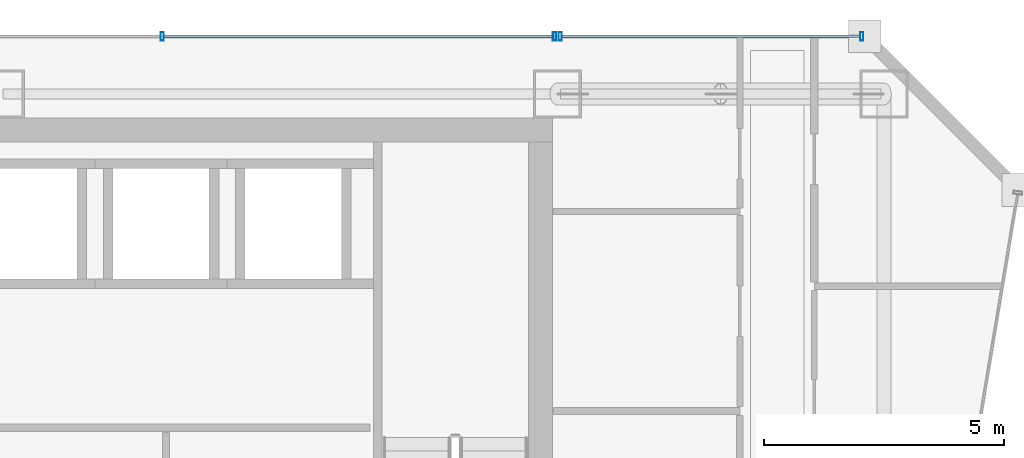
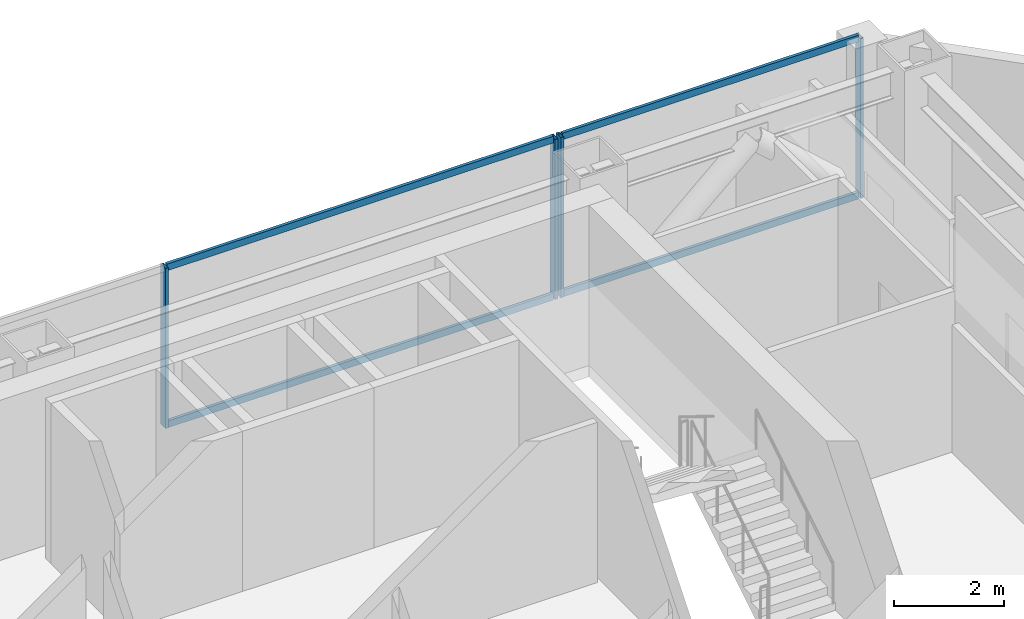
# One storey, part 30 of 40: 8 members, 2 elements without a shape of their own.
"""IFC4 building model written with IfcOpenShell, lengths in metres."""

import ifcopenshell
import ifcopenshell.guid

model = None  # the IFC model being written
_history = None  # IfcOwnerHistory: only IFC2X3 demands one
_inside = {}  # id of a spatial element -> (the spatial element, [elements in it])
_under = {}  # id of a project, library or spatial element -> (it, [spatial elements below it])
_declared = {}  # id of a project -> (the project, [libraries it declares])
_typed = {}  # id of a type object -> (the type object, [elements of that type])
_made_of = {}  # id of a material, layer set ... -> (it, [elements and type objects made of it])


def new_model(schema):
    """Start an empty IFC model of exactly this schema.

    Asked for "IFC4X3", IfcOpenShell would pick the latest addendum, in which some entities
    have other attributes; the version numbers below select the first issue.
    IFC2X3 requires an IfcOwnerHistory on every rooted entity: one is made here for all.
    """
    global model, _history
    if schema == "IFC4X3":
        model = ifcopenshell.file(schema_version=(4, 3, 0, 0))
    else:
        model = ifcopenshell.file(schema=schema)
    _inside.clear()
    _under.clear()
    _declared.clear()
    _typed.clear()
    _made_of.clear()
    _history = None
    if model.schema == "IFC2X3":
        org = make("IfcOrganization", Name="unknown")
        user = make(
            "IfcPersonAndOrganization",
            ThePerson=make("IfcPerson", FamilyName="unknown"),
            TheOrganization=org,
        )
        app = make(
            "IfcApplication",
            ApplicationDeveloper=org,
            Version="unknown",
            ApplicationFullName="unknown",
            ApplicationIdentifier="unknown",
        )
        _history = make(
            "IfcOwnerHistory",
            OwningUser=user,
            OwningApplication=app,
            ChangeAction="ADDED",
            CreationDate=0,
        )
    return model


def make(cls, **values):
    """One entity of the class cls with the attributes given. An attribute that is None is left unset."""
    return model.create_entity(
        cls, **{name: value for name, value in values.items() if value is not None}
    )


def rooted(cls, **values):
    """An entity with a GlobalId (a new one), such as an element, a storey or a relation."""
    return make(cls, GlobalId=ifcopenshell.guid.new(), OwnerHistory=_history, **values)


def si_unit(unit_type, name, prefix=None):
    """IfcSIUnit, for example si_unit("LENGTHUNIT", "METRE", prefix="MILLI")."""
    return make("IfcSIUnit", UnitType=unit_type, Prefix=prefix, Name=name)


def assignment(units):
    """IfcUnitAssignment: the units of a project."""
    return None if units is None else make("IfcUnitAssignment", Units=units)


def point(xyz):
    """IfcCartesianPoint."""
    return None if xyz is None else make("IfcCartesianPoint", Coordinates=xyz)


def direction(xyz):
    """IfcDirection."""
    return None if xyz is None else make("IfcDirection", DirectionRatios=xyz)


def frame(location, z_axis=None, x_axis=None):
    """IfcAxis2Placement3D, a coordinate frame: its origin and axes. An axis left out is left unset."""
    return make(
        "IfcAxis2Placement3D",
        Location=point(location),
        Axis=direction(z_axis),
        RefDirection=direction(x_axis),
    )


def frame_2d(location, x_axis=None):
    """IfcAxis2Placement2D, a coordinate frame in the plane: its origin and x axis."""
    return make(
        "IfcAxis2Placement2D", Location=point(location), RefDirection=direction(x_axis)
    )


def origin():
    """The frame at (0, 0, 0) with its axes left unset."""
    return frame((0.0, 0.0, 0.0))


def origin_2d():
    """The frame at (0, 0) in the plane with its x axis left unset."""
    return frame_2d((0.0, 0.0))


def place(relative_to, where):
    """IfcLocalPlacement: puts the frame where relative to a parent placement (None: the world)."""
    return make(
        "IfcLocalPlacement", PlacementRelTo=relative_to, RelativePlacement=where
    )


def context(
    kind, dimensions, precision=None, world=None, true_north=None, identifier=None
):
    """IfcGeometricRepresentationContext, for example the 3D "Model" context."""
    return make(
        "IfcGeometricRepresentationContext",
        ContextIdentifier=identifier,
        ContextType=kind,
        CoordinateSpaceDimension=dimensions,
        Precision=precision,
        WorldCoordinateSystem=world,
        TrueNorth=true_north,
    )


def subcontext(parent, identifier, kind, view, scale=None):
    """IfcGeometricRepresentationSubContext, for example "Body" below "Model"."""
    return make(
        "IfcGeometricRepresentationSubContext",
        ContextIdentifier=identifier,
        ContextType=kind,
        ParentContext=parent,
        TargetScale=scale,
        TargetView=view,
    )


def project(units=None, contexts=None):
    """IfcProject with its units and contexts."""
    return rooted(
        "IfcProject",
        Name="project",
        RepresentationContexts=contexts,
        UnitsInContext=assignment(units),
    )


def spatial(cls, under=None, at=None, **own):
    """A site, building, storey or space (cls), placed at a placement, below another one or the project."""
    s = rooted(cls, ObjectPlacement=at, **own)
    if under is not None:
        _under.setdefault(under.id(), (under, []))[1].append(s)
    return s


def profile(cls, at=None, kind="AREA", **sizes):
    """A parametric profile (cls). Its sizes go by their IFC names, for example OverallWidth=200.0."""
    return make(cls, ProfileType=kind, Position=at, **sizes)


def hollow_rectangle(**sizes):
    """IfcRectangleHollowProfileDef."""
    return profile("IfcRectangleHollowProfileDef", **sizes)


def extrude(swept, where, along, depth):
    """IfcExtrudedAreaSolid: the profile swept, set in the frame where, extruded along a direction by depth."""
    return make(
        "IfcExtrudedAreaSolid",
        SweptArea=swept,
        Position=where,
        ExtrudedDirection=direction(along),
        Depth=depth,
    )


def shape(context_of_items, identifier, shape_type, items):
    """IfcShapeRepresentation: the items that make up one representation, for example the "Body"."""
    return make(
        "IfcShapeRepresentation",
        ContextOfItems=context_of_items,
        RepresentationIdentifier=identifier,
        RepresentationType=shape_type,
        Items=items,
    )


def material(Name=None, Category=None):
    """IfcMaterial."""
    return make("IfcMaterial", Name=Name, Category=Category)


def material_profile(
    of_material, cross_section, Name=None, Category=None, Priority=None
):
    """IfcMaterialProfile: a cross section and its material."""
    return make(
        "IfcMaterialProfile",
        Name=Name,
        Material=of_material,
        Profile=cross_section,
        Priority=Priority,
        Category=Category,
    )


def profile_set(profiles, Name=None, composite=None):
    """IfcMaterialProfileSet."""
    return make(
        "IfcMaterialProfileSet",
        Name=Name,
        MaterialProfiles=profiles,
        CompositeProfile=composite,
    )


def made_of(thing, what):
    """Note that an element or type object is made of a material, layer set ...; save() writes the relation."""
    if what is not None:
        _made_of.setdefault(what.id(), (what, []))[1].append(thing)
    return thing


def type_object(cls, material=None, **own):
    """A type object (cls), such as IfcWallType, which elements share."""
    return made_of(rooted(cls, **own), material)


def element(
    cls,
    number,
    at=None,
    inside=None,
    cuts=None,
    type_object=None,
    material=None,
    context=None,
    identifier="Body",
    shape_type=None,
    held_by="IfcProductDefinitionShape",
    body=None,
    shapes=None,
    **own,
):
    """One element of the class cls, such as IfcWall. Its Tag is "e" and its number.

    at: its placement. inside: the storey or other place that contains it. cuts: it is an
    opening in that element (IfcRelVoidsElement). A single representation is given by context,
    identifier, shape_type and body (its items); several are given by shapes. held_by: the class
    of the entity that holds the representations. save() writes the other relations.
    """
    e = rooted(cls, Tag="e%d" % number, ObjectPlacement=at, **own)
    if body is not None:
        shapes = [shape(context, identifier, shape_type, body)]
    if shapes is not None:
        e.Representation = make(held_by, Representations=shapes)
    if inside is not None:
        _inside.setdefault(inside.id(), (inside, []))[1].append(e)
    if cuts is not None:
        rooted(
            "IfcRelVoidsElement", RelatingBuildingElement=cuts, RelatedOpeningElement=e
        )
    if type_object is not None:
        _typed.setdefault(type_object.id(), (type_object, []))[1].append(e)
    return made_of(e, material)


def aggregate(whole, parts):
    """IfcRelAggregates: a whole, such as a stair, and the parts it consists of."""
    return rooted("IfcRelAggregates", RelatingObject=whole, RelatedObjects=parts)


def save(model, path):
    """Write the relations noted so far, then the file.

    IfcRelAggregates (storeys below a building ...), IfcRelContainedInSpatialStructure (elements
    in a storey), IfcRelDefinesByType, IfcRelAssociatesMaterial and IfcRelDeclares: one each for
    every whole, place, type object, material and project.
    """
    for whole, parts in _under.values():
        aggregate(whole, parts)
    for where, things in _inside.values():
        rooted(
            "IfcRelContainedInSpatialStructure",
            RelatedElements=things,
            RelatingStructure=where,
        )
    for kind, things in _typed.values():
        rooted("IfcRelDefinesByType", RelatedObjects=things, RelatingType=kind)
    for what, things in _made_of.values():
        rooted("IfcRelAssociatesMaterial", RelatedObjects=things, RelatingMaterial=what)
    for by, libraries in _declared.values():
        rooted("IfcRelDeclares", RelatingContext=by, RelatedDefinitions=libraries)
    model.write(path)


model = new_model("IFC4")

# Units and contexts
model_context = context("Model", 3, precision=1e-05, world=origin(), true_north=direction((0.0, 1.0)))
body_context = subcontext(model_context, "Body", "Model", "MODEL_VIEW")
ifc_project = project(units=[si_unit("LENGTHUNIT", "METRE"), si_unit("AREAUNIT", "SQUARE_METRE"), si_unit("VOLUMEUNIT", "CUBIC_METRE"), si_unit("PLANEANGLEUNIT", "RADIAN"), si_unit("MASSUNIT", "GRAM", prefix="KILO")], contexts=[model_context])

# Site, building, storey
site_placement = place(None, origin())
site = spatial("IfcSite", under=ifc_project, at=site_placement, CompositionType="ELEMENT")
building_placement = place(site_placement, origin())
building = spatial("IfcBuilding", under=site, at=building_placement, Name="Saevonmaru Cultural Tower", CompositionType="ELEMENT")
storey_placement = place(building_placement, frame((0.0, 0.0, 129.60009765625)))
storey = spatial("IfcBuildingStorey", under=building, at=storey_placement, Name="L27", CompositionType="ELEMENT", Elevation=129.60009765625)

# Curtain wall, members
ifc_material = material(Name="Satin Bronze Anodised Aluminium", Category="aluminium")
curtain_wall_type = type_object("IfcCurtainWallType", Name="CW-SKY-GLZ", PredefinedType="NOTDEFINED", material=ifc_material)
curtain_wall_1_placement = place(storey_placement, origin())
curtain_wall_1 = element("IfcCurtainWall", 1, at=curtain_wall_1_placement, inside=storey, type_object=curtain_wall_type, Name="L27 East Braced Bay Spandrel Curtain Wall E10A", PredefinedType="NOTDEFINED")
ifc_material_profile_1 = material_profile(ifc_material, hollow_rectangle(XDim=0.06494140625, YDim=0.179931640625, WallThickness=0.00390625, at=origin_2d()), Name="ALU-MULL-180x65x4")
ifc_profile_set_1 = profile_set([ifc_material_profile_1], Name="Satin Bronze Anodised Aluminium")
member_type_1 = type_object("IfcMemberType", Name="ML-CW-180x65", PredefinedType="MULLION", material=ifc_profile_set_1)
member_1_placement = place(storey_placement, frame((52.739990234375, 56.0, 0.0), z_axis=(0.0, 0.0, 1.0), x_axis=(-1.0, 0.0, 0.0)))
member_1 = element("IfcMember", 2, at=member_1_placement, type_object=member_type_1, Name="CW-TW-L27-E10A mullion 1", PredefinedType="MULLION", context=body_context, shape_type="SweptSolid", body=[
    extrude(hollow_rectangle(XDim=0.06494140625, YDim=0.179931640625, WallThickness=0.00390625, at=origin_2d()), origin(), (0.0, 0.0, 1.0), 3.5498046875),
])
member_2_placement = place(storey_placement, frame((46.4599609375, 56.0, 0.0), z_axis=(0.0, 0.0, 1.0), x_axis=(-1.0, 0.0, 0.0)))
member_2 = element("IfcMember", 3, at=member_2_placement, type_object=member_type_1, Name="CW-TW-L27-E10A mullion 2", PredefinedType="MULLION", context=body_context, shape_type="SweptSolid", body=[
    extrude(hollow_rectangle(XDim=0.06494140625, YDim=0.179931640625, WallThickness=0.00390625, at=origin_2d()), origin(), (0.0, 0.0, 1.0), 3.5498046875),
])

curtain_wall_2_placement = place(storey_placement, origin())
curtain_wall_2 = element("IfcCurtainWall", 4, at=curtain_wall_2_placement, inside=storey, type_object=curtain_wall_type, Name="L27 North Spine Unitised Curtain Wall E10B", PredefinedType="NOTDEFINED")
member_3_placement = place(storey_placement, frame((46.340087890625, 56.0, 0.0), z_axis=(0.0, 0.0, 1.0), x_axis=(-1.0, 0.0, 0.0)))
member_3 = element("IfcMember", 5, at=member_3_placement, type_object=member_type_1, Name="CW-TW-L27-E10B mullion 1", PredefinedType="MULLION", context=body_context, shape_type="SweptSolid", body=[
    extrude(hollow_rectangle(XDim=0.06494140625, YDim=0.179931640625, WallThickness=0.00390625, at=origin_2d()), origin(), (0.0, 0.0, 1.0), 3.5498046875),
])
member_4_placement = place(storey_placement, frame((38.169921875, 56.0, 0.0), z_axis=(0.0, 0.0, 1.0), x_axis=(-1.0, 0.0, 0.0)))
member_4 = element("IfcMember", 6, at=member_4_placement, type_object=member_type_1, Name="CW-TW-L27-E10B mullion 2", PredefinedType="MULLION", context=body_context, shape_type="SweptSolid", body=[
    extrude(hollow_rectangle(XDim=0.06494140625, YDim=0.179931640625, WallThickness=0.00390625, at=origin_2d()), origin(), (0.0, 0.0, 1.0), 3.5498046875),
])

# Member
ifc_material_profile_2 = material_profile(ifc_material, hollow_rectangle(XDim=0.06494140625, YDim=0.14990234375, WallThickness=0.00390625, at=origin_2d()), Name="ALU-TRAN-150x65x4")
ifc_profile_set_2 = profile_set([ifc_material_profile_2], Name="Satin Bronze Anodised Aluminium")
member_type_2 = type_object("IfcMemberType", Name="TR-CW-150x65", PredefinedType="USERDEFINED", material=ifc_profile_set_2)
member_5_placement = place(storey_placement, frame((52.70751953125, 56.0, 0.032470703125), z_axis=(-1.0, 0.0, 0.0), x_axis=(0.0, -1.0, 0.0)))
member_5 = element("IfcMember", 7, at=member_5_placement, type_object=member_type_2, Name="CW-TW-L27-E10A transom 1.1", ObjectType="TRANSOM", PredefinedType="USERDEFINED", context=body_context, shape_type="SweptSolid", body=[
    extrude(hollow_rectangle(XDim=0.06494140625, YDim=0.14990234375, WallThickness=0.00390625, at=origin_2d()), origin(), (0.0, 0.0, 1.0), 6.215087890625),
])

member_6_placement = place(storey_placement, frame((52.70751953125, 56.0, 3.517333984375), z_axis=(-1.0, 0.0, 0.0), x_axis=(0.0, -1.0, 0.0)))
member_6 = element("IfcMember", 8, at=member_6_placement, type_object=member_type_2, Name="CW-TW-L27-E10A transom 1.2", ObjectType="TRANSOM", PredefinedType="USERDEFINED", context=body_context, shape_type="SweptSolid", body=[
    extrude(hollow_rectangle(XDim=0.06494140625, YDim=0.14990234375, WallThickness=0.00390625, at=origin_2d()), origin(), (0.0, 0.0, 1.0), 6.215087890625),
])

aggregate(curtain_wall_1, [member_1, member_2, member_5, member_6])

member_7_placement = place(storey_placement, frame((46.3076171875, 56.0, 0.032470703125), z_axis=(-1.0, 0.0, 0.0), x_axis=(0.0, -1.0, 0.0)))
member_7 = element("IfcMember", 9, at=member_7_placement, type_object=member_type_2, Name="CW-TW-L27-E10B transom 1.1", ObjectType="TRANSOM", PredefinedType="USERDEFINED", context=body_context, shape_type="SweptSolid", body=[
    extrude(hollow_rectangle(XDim=0.06494140625, YDim=0.14990234375, WallThickness=0.00390625, at=origin_2d()), origin(), (0.0, 0.0, 1.0), 8.105224609375),
])

member_8_placement = place(storey_placement, frame((46.3076171875, 56.0, 3.517333984375), z_axis=(-1.0, 0.0, 0.0), x_axis=(0.0, -1.0, 0.0)))
member_8 = element("IfcMember", 10, at=member_8_placement, type_object=member_type_2, Name="CW-TW-L27-E10B transom 1.2", ObjectType="TRANSOM", PredefinedType="USERDEFINED", context=body_context, shape_type="SweptSolid", body=[
    extrude(hollow_rectangle(XDim=0.06494140625, YDim=0.14990234375, WallThickness=0.00390625, at=origin_2d()), origin(), (0.0, 0.0, 1.0), 8.105224609375),
])

aggregate(curtain_wall_2, [member_3, member_4, member_7, member_8])

save(model, "model.ifc")
